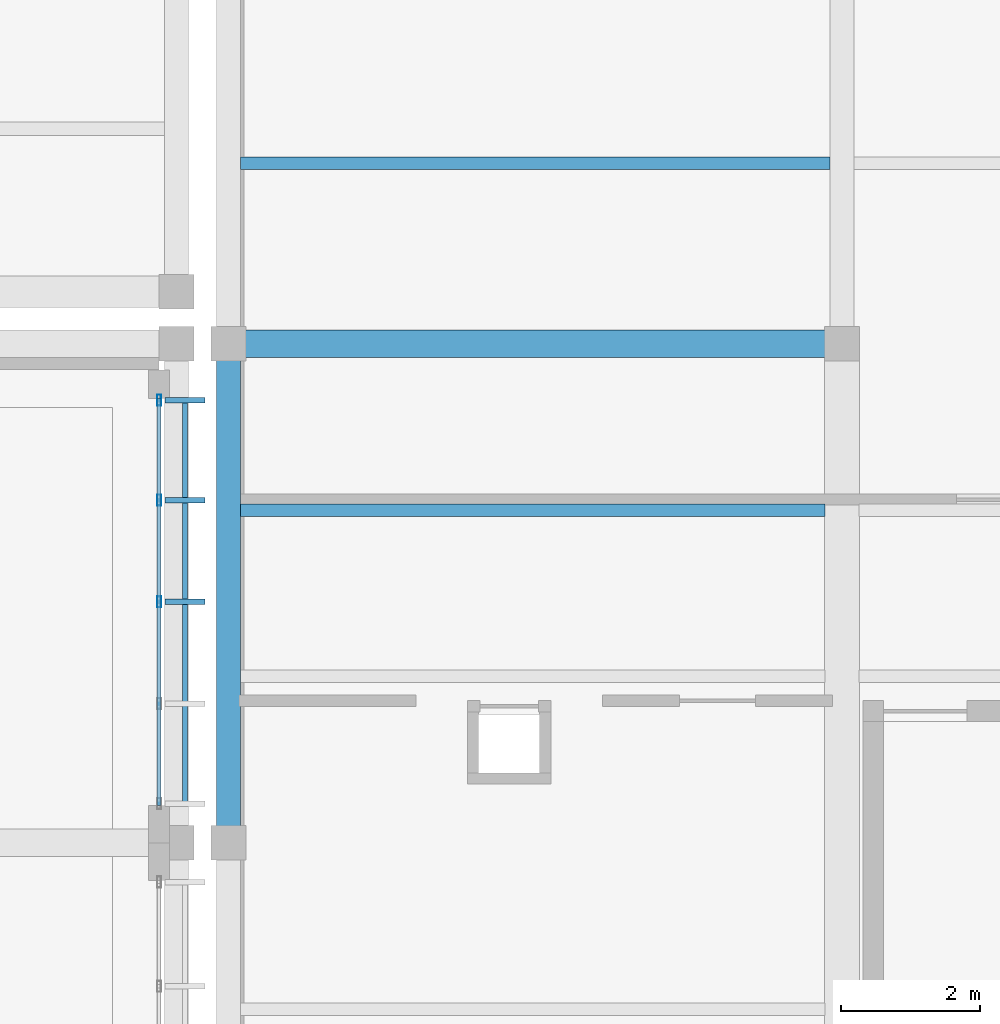
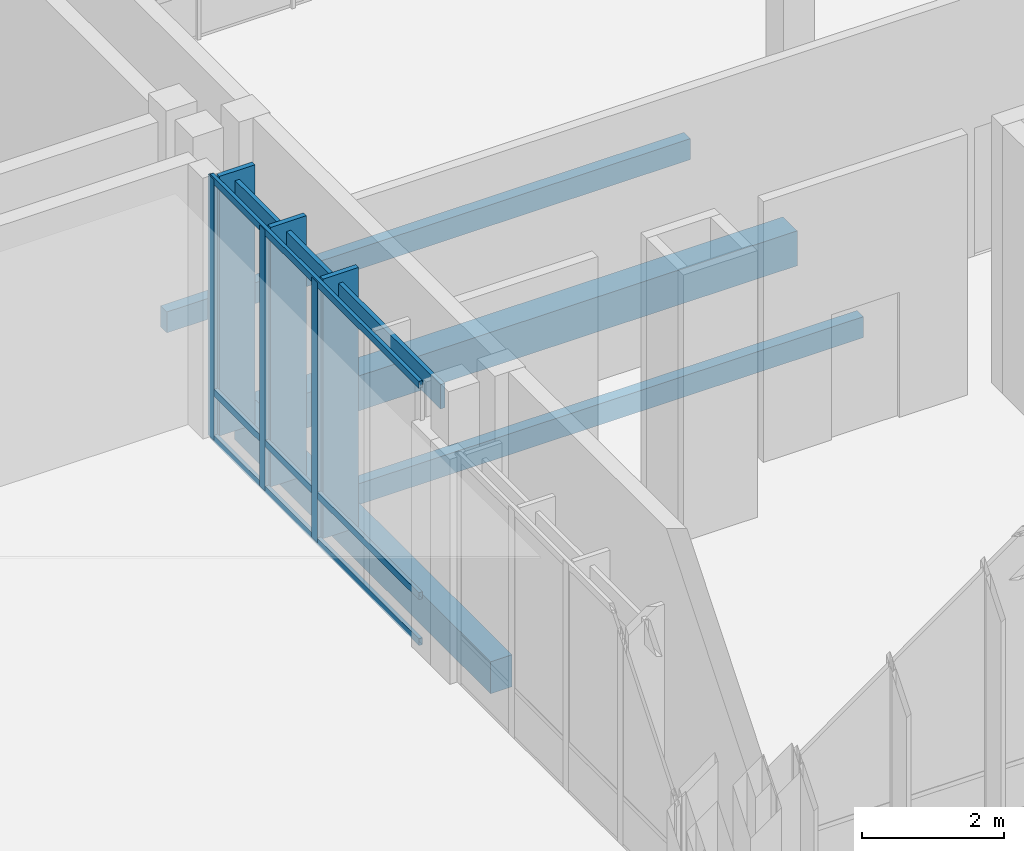
# One storey, part 38 of 177: 10 members, 4 beams, 1 element without a shape of its own.
"""IFC4 building model written with IfcOpenShell, lengths in metres."""

from ifc_helpers import new_model, si_unit, direction, frame, origin, origin_2d, place, context, subcontext, project, spatial, rectangle, hollow_rectangle, extrude, material, material_profile, profile_set, type_object, element, aggregate, save


model = new_model("IFC4")

# Units and contexts
model_context = context("Model", 3, precision=1e-05, world=origin(), true_north=direction((0.0, 1.0)))
body_context = subcontext(model_context, "Body", "Model", "MODEL_VIEW")
ifc_project = project(units=[si_unit("LENGTHUNIT", "METRE"), si_unit("AREAUNIT", "SQUARE_METRE"), si_unit("VOLUMEUNIT", "CUBIC_METRE"), si_unit("PLANEANGLEUNIT", "RADIAN"), si_unit("MASSUNIT", "GRAM", prefix="KILO")], contexts=[model_context])

# Site, building, storey
site_placement = place(None, origin())
site = spatial("IfcSite", under=ifc_project, at=site_placement, CompositionType="ELEMENT")
building_placement = place(site_placement, origin())
building = spatial("IfcBuilding", under=site, at=building_placement, Name="Chiffa Square Polytechnic", CompositionType="ELEMENT")
storey_placement = place(building_placement, frame((0.0, 0.0, 4.800048828125)))
storey = spatial("IfcBuildingStorey", under=building, at=storey_placement, Name="L01", CompositionType="ELEMENT", Elevation=4.800048828125)

# Beams
ifc_material_1 = material(Name="Concrete C35/45", Category="concrete")
ifc_material_profile_1 = material_profile(ifc_material_1, rectangle(XDim=0.35009765625, YDim=0.550048828125, at=origin_2d()), Name="RC 350x550")
ifc_profile_set_1 = profile_set([ifc_material_profile_1], Name="Concrete C35/45")
beam_type_1 = type_object("IfcBeamType", Name="BM-RC-350X550", PredefinedType="BEAM", material=ifc_profile_set_1)
beam_1_placement = place(storey_placement, frame((48.75, 28.800048828125, -0.554931640625), z_axis=(0.0, 1.0, 0.0), x_axis=(-1.0, 0.0, 0.0)))
element("IfcBeam", 1, at=beam_1_placement, inside=storey, type_object=beam_type_1, Name="Primary floor girder BM-V4-L01-Y-0488-0288", PredefinedType="BEAM", context=body_context, shape_type="SweptSolid", body=[
    extrude(rectangle(XDim=0.35009765625, YDim=0.550048828125, at=origin_2d()), origin(), (0.0, 0.0, 1.0), 7.199951171875),
])
ifc_material_profile_2 = material_profile(ifc_material_1, rectangle(XDim=0.39990234375, YDim=0.60009765625, at=origin_2d()), Name="RC 400x600")
ifc_profile_set_2 = profile_set([ifc_material_profile_2], Name="Concrete C35/45")
beam_type_2 = type_object("IfcBeamType", Name="BM-RC-400X600", PredefinedType="BEAM", material=ifc_profile_set_2)
beam_2_placement = place(storey_placement, frame((48.75, 36.0, -0.580078125), z_axis=(1.0, 0.0, 0.0), x_axis=(0.0, 1.0, 0.0)))
element("IfcBeam", 2, at=beam_2_placement, inside=storey, type_object=beam_type_2, Name="Primary floor girder BM-V4-L01-X-0488-0360", PredefinedType="BEAM", context=body_context, shape_type="SweptSolid", body=[
    extrude(rectangle(XDim=0.39990234375, YDim=0.60009765625, at=origin_2d()), origin(), (0.0, 0.0, 1.0), 8.85009765625),
])

# Curtain wall, members
ifc_material_2 = material(Name="Aluminium EN AW-6060 T66 and glulam shading", Category="wood")
curtain_wall_type = type_object("IfcCurtainWallType", Name="CW-VERT-540X440", PredefinedType="USERDEFINED", material=ifc_material_2)
curtain_wall_placement = place(storey_placement, origin())
curtain_wall = element("IfcCurtainWall", 3, at=curtain_wall_placement, inside=storey, type_object=curtain_wall_type, Name="Curtain wall CW-V3-L01-159", ObjectType="CURTAIN WALL", PredefinedType="USERDEFINED")
ifc_material_3 = material(Name="Aluminium EN AW-6060 T66", Category="aluminium")
ifc_material_profile_3 = material_profile(ifc_material_3, hollow_rectangle(XDim=0.06005859375, YDim=0.159912109375, WallThickness=0.00390625, at=origin_2d()), Name="ALU 60x160x4")
ifc_profile_set_3 = profile_set([ifc_material_profile_3], Name="Aluminium EN AW-6060 T66")
member_type_1 = type_object("IfcMemberType", Name="CWM-ALU-65X150", PredefinedType="MULLION", material=ifc_profile_set_3)
member_1_placement = place(storey_placement, frame((47.75, 32.27490234375, 0.0), z_axis=(0.0, 0.0, 1.0), x_axis=(1.0, 0.0, 0.0)))
member_1 = element("IfcMember", 4, at=member_1_placement, type_object=member_type_1, Name="Curtain wall mullion CW-V3-L01-159-M02", PredefinedType="MULLION", context=body_context, shape_type="SweptSolid", body=[
    extrude(hollow_rectangle(XDim=0.06005859375, YDim=0.159912109375, WallThickness=0.00390625, at=origin_2d()), origin(), (0.0, 0.0, 1.0), 4.47998046875),
])
member_2_placement = place(storey_placement, frame((47.75, 33.741943359375, 0.0), z_axis=(0.0, 0.0, 1.0), x_axis=(1.0, 0.0, 0.0)))
member_2 = element("IfcMember", 5, at=member_2_placement, type_object=member_type_1, Name="Curtain wall mullion CW-V3-L01-159-M03", PredefinedType="MULLION", context=body_context, shape_type="SweptSolid", body=[
    extrude(hollow_rectangle(XDim=0.06005859375, YDim=0.159912109375, WallThickness=0.00390625, at=origin_2d()), origin(), (0.0, 0.0, 1.0), 4.47998046875),
])
member_3_placement = place(storey_placement, frame((47.75, 35.18505859375, 0.0), z_axis=(0.0, 0.0, 1.0), x_axis=(1.0, 0.0, 0.0)))
member_3 = element("IfcMember", 6, at=member_3_placement, type_object=member_type_1, Name="Curtain wall mullion CW-V3-L01-159-M04", PredefinedType="MULLION", context=body_context, shape_type="SweptSolid", body=[
    extrude(hollow_rectangle(XDim=0.06005859375, YDim=0.159912109375, WallThickness=0.00390625, at=origin_2d()), origin(), (0.0, 0.0, 1.0), 4.47998046875),
])
ifc_material_4 = material(Name="Glulam GL28h", Category="wood")
ifc_material_profile_4 = material_profile(ifc_material_4, rectangle(XDim=0.080078125, YDim=0.580078125, at=origin_2d()), Name="GL28h 80x580")
ifc_profile_set_4 = profile_set([ifc_material_profile_4], Name="Glulam GL28h")
member_type_2 = type_object("IfcMemberType", Name="CWM-GL-80X580", PredefinedType="MULLION", material=ifc_profile_set_4)
member_4_placement = place(storey_placement, frame((48.1220703125, 32.27490234375, 0.010009765625), z_axis=(0.0, 0.0, 1.0), x_axis=(0.0, 1.0, 0.0)))
member_4 = element("IfcMember", 7, at=member_4_placement, type_object=member_type_2, Name="Exterior glulam solar fin CW-V3-L01-159-FN02", PredefinedType="MULLION", context=body_context, shape_type="SweptSolid", body=[
    extrude(rectangle(XDim=0.080078125, YDim=0.580078125, at=origin_2d()), origin(), (0.0, 0.0, 1.0), 4.4599609375),
])
member_5_placement = place(storey_placement, frame((48.1220703125, 33.741943359375, 0.010009765625), z_axis=(0.0, 0.0, 1.0), x_axis=(0.0, 1.0, 0.0)))
member_5 = element("IfcMember", 8, at=member_5_placement, type_object=member_type_2, Name="Exterior glulam solar fin CW-V3-L01-159-FN03", PredefinedType="MULLION", context=body_context, shape_type="SweptSolid", body=[
    extrude(rectangle(XDim=0.080078125, YDim=0.580078125, at=origin_2d()), origin(), (0.0, 0.0, 1.0), 4.4599609375),
])
member_6_placement = place(storey_placement, frame((48.1220703125, 35.18505859375, 0.010009765625), z_axis=(0.0, 0.0, 1.0), x_axis=(0.0, 1.0, 0.0)))
member_6 = element("IfcMember", 9, at=member_6_placement, type_object=member_type_2, Name="Exterior glulam solar fin CW-V3-L01-159-FN04", PredefinedType="MULLION", context=body_context, shape_type="SweptSolid", body=[
    extrude(rectangle(XDim=0.080078125, YDim=0.580078125, at=origin_2d()), origin(), (0.0, 0.0, 1.0), 4.4599609375),
])
ifc_material_profile_5 = material_profile(ifc_material_3, hollow_rectangle(XDim=0.06005859375, YDim=0.1201171875, WallThickness=0.00390625, at=origin_2d()), Name="ALU 60x120x4")
ifc_profile_set_5 = profile_set([ifc_material_profile_5], Name="Aluminium EN AW-6060 T66")
member_type_3 = type_object("IfcMemberType", Name="CWT-ALU-65X120", PredefinedType="USERDEFINED", material=ifc_profile_set_5)
member_7_placement = place(storey_placement, frame((47.75, 29.337890625, 0.030029296875), z_axis=(0.0, 1.0, 0.0), x_axis=(-1.0, 0.0, 0.0)))
member_7 = element("IfcMember", 10, at=member_7_placement, type_object=member_type_3, Name="Curtain wall transom CW-V3-L01-159-T01", ObjectType="TRANSOM", PredefinedType="USERDEFINED", context=body_context, shape_type="SweptSolid", body=[
    extrude(hollow_rectangle(XDim=0.06005859375, YDim=0.1201171875, WallThickness=0.00390625, at=origin_2d()), origin(), (0.0, 0.0, 1.0), 5.8740234375),
])
member_8_placement = place(storey_placement, frame((47.75, 29.337890625, 0.820068359375), z_axis=(0.0, 1.0, 0.0), x_axis=(-1.0, 0.0, 0.0)))
member_8 = element("IfcMember", 11, at=member_8_placement, type_object=member_type_3, Name="Curtain wall transom CW-V3-L01-159-T02", ObjectType="TRANSOM", PredefinedType="USERDEFINED", context=body_context, shape_type="SweptSolid", body=[
    extrude(hollow_rectangle(XDim=0.06005859375, YDim=0.1201171875, WallThickness=0.00390625, at=origin_2d()), origin(), (0.0, 0.0, 1.0), 5.8740234375),
])
member_9_placement = place(storey_placement, frame((47.75, 29.337890625, 4.449951171875), z_axis=(0.0, 1.0, 0.0), x_axis=(-1.0, 0.0, 0.0)))
member_9 = element("IfcMember", 12, at=member_9_placement, type_object=member_type_3, Name="Curtain wall transom CW-V3-L01-159-T03", ObjectType="TRANSOM", PredefinedType="USERDEFINED", context=body_context, shape_type="SweptSolid", body=[
    extrude(hollow_rectangle(XDim=0.06005859375, YDim=0.1201171875, WallThickness=0.00390625, at=origin_2d()), origin(), (0.0, 0.0, 1.0), 5.8740234375),
])
ifc_material_profile_6 = material_profile(ifc_material_4, rectangle(XDim=0.070068359375, YDim=0.419921875, at=origin_2d()), Name="GL28h 70x420")
ifc_profile_set_6 = profile_set([ifc_material_profile_6], Name="Glulam GL28h")
member_type_4 = type_object("IfcMemberType", Name="CWT-GL-70X420", PredefinedType="USERDEFINED", material=ifc_profile_set_6)
member_10_placement = place(storey_placement, frame((48.1220703125, 29.364990234375, 4.099853515625), z_axis=(0.0, 1.0, 0.0), x_axis=(-1.0, 0.0, 0.0)))
member_10 = element("IfcMember", 13, at=member_10_placement, type_object=member_type_4, Name="Exterior glulam brise-soleil CW-V3-L01-159-BS01", ObjectType="TRANSOM", PredefinedType="USERDEFINED", context=body_context, shape_type="SweptSolid", body=[
    extrude(rectangle(XDim=0.070068359375, YDim=0.419921875, at=origin_2d()), origin(), (0.0, 0.0, 1.0), 5.820068359375),
])
aggregate(curtain_wall, [member_1, member_4, member_2, member_5, member_3, member_6, member_7, member_8, member_9, member_10])

# Beams
ifc_material_profile_7 = material_profile(ifc_material_4, rectangle(XDim=0.179931640625, YDim=0.360107421875, at=origin_2d()), Name="GL28h 180x360")
ifc_profile_set_7 = profile_set([ifc_material_profile_7], Name="Glulam GL28h")
beam_type_3 = type_object("IfcBeamType", Name="JST-GL-180X360", PredefinedType="JOIST", material=ifc_profile_set_7)
beam_3_placement = place(storey_placement, frame((48.923095703125, 33.60009765625, -0.4599609375), z_axis=(1.0, 0.0, 0.0), x_axis=(0.0, 1.0, 0.0)))
element("IfcBeam", 14, at=beam_3_placement, inside=storey, type_object=beam_type_3, Name="Secondary floor joist JST-V4-L01-0488-0336", PredefinedType="JOIST", context=body_context, shape_type="SweptSolid", body=[
    extrude(rectangle(XDim=0.179931640625, YDim=0.360107421875, at=origin_2d()), origin(), (0.0, 0.0, 1.0), 8.428955078125),
])
beam_4_placement = place(storey_placement, frame((48.923095703125, 38.60009765625, -0.4599609375), z_axis=(1.0, 0.0, 0.0), x_axis=(0.0, 1.0, 0.0)))
element("IfcBeam", 15, at=beam_4_placement, inside=storey, type_object=beam_type_3, Name="Secondary floor joist JST-V4-L01-0488-0386", PredefinedType="JOIST", context=body_context, shape_type="SweptSolid", body=[
    extrude(rectangle(XDim=0.179931640625, YDim=0.360107421875, at=origin_2d()), origin(), (0.0, 0.0, 1.0), 8.50390625),
])

save(model, "model.ifc")
